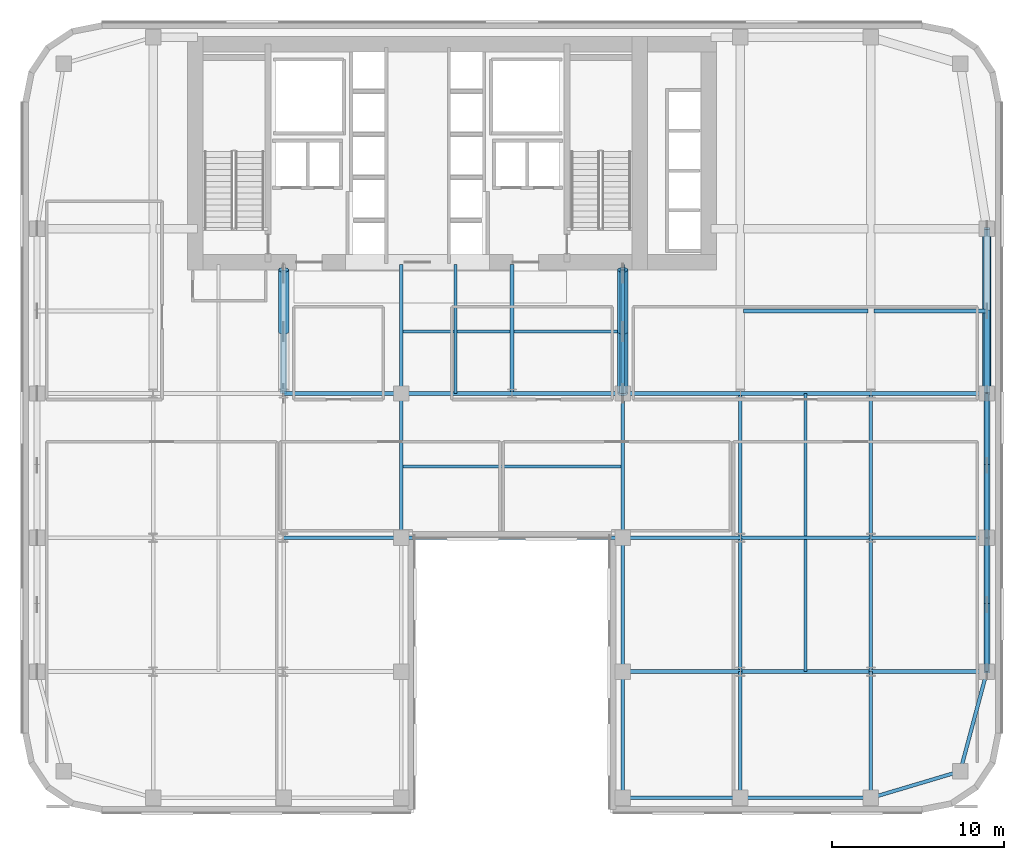
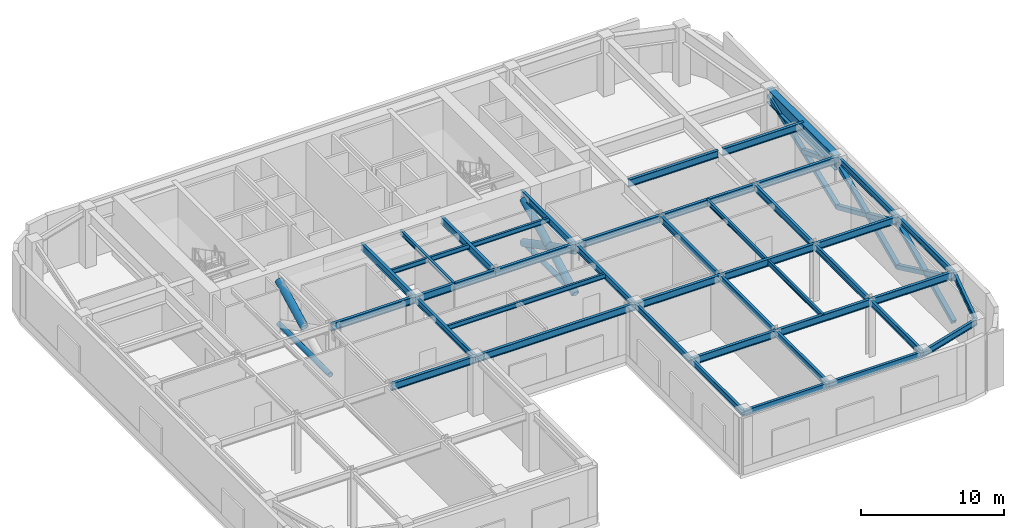
# One storey, part 2 of 11: 41 beams, 14 members.
"""IFC4 building model written with IfcOpenShell, lengths in metres."""

from ifc_helpers import new_model, si_unit, direction, frame, origin, origin_2d, place, context, subcontext, project, spatial, hollow_rectangle, hollow_circle, i_section, extrude, source, transform, mapped, material, material_profile, profile_set, type_object, type_shapes, element, save


model = new_model("IFC4")

# Units and contexts
model_context = context("Model", 3, precision=1e-05, world=origin(), true_north=direction((0.0, 1.0)))
body_context = subcontext(model_context, "Body", "Model", "MODEL_VIEW")
ifc_project = project(units=[si_unit("LENGTHUNIT", "METRE"), si_unit("AREAUNIT", "SQUARE_METRE"), si_unit("VOLUMEUNIT", "CUBIC_METRE"), si_unit("PLANEANGLEUNIT", "RADIAN"), si_unit("MASSUNIT", "GRAM", prefix="KILO")], contexts=[model_context])

# Site, building, storey
site_placement = place(None, origin())
site = spatial("IfcSite", under=ifc_project, at=site_placement, CompositionType="ELEMENT")
building_placement = place(site_placement, origin())
building = spatial("IfcBuilding", under=site, at=building_placement, Name="Tolvann Quenvar Hotel", CompositionType="ELEMENT")
storey_placement = place(building_placement, frame((0.0, 0.0, 95.89990234375)))
storey = spatial("IfcBuildingStorey", under=building, at=storey_placement, Name="L24", CompositionType="ELEMENT", Elevation=95.89990234375)

# Beams
ifc_material_1 = material(Name="Steel Grade 350", Category="steel")
ifc_material_profile_1 = material_profile(ifc_material_1, i_section(OverallWidth=0.5, OverallDepth=1.199951171875, WebThickness=0.01611328125, FlangeThickness=0.0400390625, at=origin_2d()), Name="1200WB455")
ifc_profile_set_1 = profile_set([ifc_material_profile_1], Name="Steel Grade 350")
beam_type_1 = type_object("IfcBeamType", Name="BM_TG_1200WB455", PredefinedType="USERDEFINED", material=ifc_profile_set_1)
shared_shape_1 = source(origin(), body_context, "Body", "SweptSolid", [
    extrude(i_section(OverallWidth=0.5, OverallDepth=1.199951171875, WebThickness=0.01611328125, FlangeThickness=0.0400390625, at=origin_2d()), origin(), (0.0, 0.0, 1.0), 9.60009765625),
])
type_shapes(beam_type_1, [shared_shape_1])
beam_1_placement = place(storey_placement, frame((56.14990234375, 24.39990234375, 4.22021484375), z_axis=(0.0, 1.0, 0.0), x_axis=(-1.0, 0.0, 0.0)))
element("IfcBeam", 1, at=beam_1_placement, inside=storey, type_object=beam_type_1, Name="BM-L24-FLK-E1", ObjectType="TRANSFER GIRDER", PredefinedType="USERDEFINED", context=body_context, shape_type="MappedRepresentation", body=[
    mapped(shared_shape_1, transform((0.0, 0.0, 0.0), x_axis=(1.0, 0.0, 0.0), y_axis=(0.0, 1.0, 0.0), z_axis=(0.0, 0.0, 1.0), scale=1.0)),
])
ifc_material_profile_2 = material_profile(ifc_material_1, i_section(OverallWidth=0.208984375, OverallDepth=0.528076171875, WebThickness=0.009521484375, FlangeThickness=0.01318359375, FilletRadius=0.013916015625, at=origin_2d()), Name="530UB82")
ifc_profile_set_2 = profile_set([ifc_material_profile_2], Name="Steel Grade 350")
beam_type_2 = type_object("IfcBeamType", Name="BM_SPAND_530UB82", PredefinedType="SPANDREL", material=ifc_profile_set_2)
shared_shape_2 = source(origin(), body_context, "Body", "SweptSolid", [
    extrude(i_section(OverallWidth=0.208984375, OverallDepth=0.528076171875, WebThickness=0.009521484375, FlangeThickness=0.01318359375, FilletRadius=0.013916015625, at=origin_2d()), origin(), (0.0, 0.0, 1.0), 5.42626953125),
])
beam_2_placement = place(storey_placement, frame((49.39990234375, 0.85009765625, 4.55615234375), z_axis=(0.958344815522, 0.285613750654, 0.0), x_axis=(-0.285613750654, 0.958344815522, 0.0)))
element("IfcBeam", 2, at=beam_2_placement, inside=storey, type_object=beam_type_2, Name="BM-L24-EW-2-I2-J2", PredefinedType="SPANDREL", context=body_context, shape_type="MappedRepresentation", body=[
    mapped(shared_shape_2, transform((0.0, 0.0, 0.0), x_axis=(1.0, 0.0, 0.0), y_axis=(0.0, 1.0, 0.0), z_axis=(0.0, 0.0, 1.0), scale=1.0)),
])
shared_shape_3 = source(origin(), body_context, "Body", "SweptSolid", [
    extrude(i_section(OverallWidth=0.208984375, OverallDepth=0.528076171875, WebThickness=0.009521484375, FlangeThickness=0.01318359375, FilletRadius=0.013916015625, at=origin_2d()), origin(), (0.0, 0.0, 1.0), 7.599853515625),
])
beam_3_placement = place(storey_placement, frame((41.800048828125, 0.85009765625, 4.55615234375), z_axis=(1.0, 0.0, 0.0), x_axis=(0.0, 1.0, 0.0)))
element("IfcBeam", 3, at=beam_3_placement, inside=storey, type_object=beam_type_2, Name="BM-L24-EW-2-H2-I2", PredefinedType="SPANDREL", context=body_context, shape_type="MappedRepresentation", body=[
    mapped(shared_shape_3, transform((0.0, 0.0, 0.0), x_axis=(1.0, 0.0, 0.0), y_axis=(0.0, 1.0, 0.0), z_axis=(0.0, 0.0, 1.0), scale=1.0)),
])
shared_shape_4 = source(origin(), body_context, "Body", "SweptSolid", [
    extrude(i_section(OverallWidth=0.208984375, OverallDepth=0.528076171875, WebThickness=0.009521484375, FlangeThickness=0.01318359375, FilletRadius=0.013916015625, at=origin_2d()), origin(), (0.0, 0.0, 1.0), 6.85009765625),
])
beam_4_placement = place(storey_placement, frame((34.949951171875, 0.85009765625, 4.55615234375), z_axis=(1.0, 0.0, 0.0), x_axis=(0.0, 1.0, 0.0)))
element("IfcBeam", 4, at=beam_4_placement, inside=storey, type_object=beam_type_2, Name="BM-L24-EW-2-F2-H2", PredefinedType="SPANDREL", context=body_context, shape_type="MappedRepresentation", body=[
    mapped(shared_shape_4, transform((0.0, 0.0, 0.0), x_axis=(1.0, 0.0, 0.0), y_axis=(0.0, 1.0, 0.0), z_axis=(0.0, 0.0, 1.0), scale=1.0)),
])
ifc_material_profile_3 = material_profile(ifc_material_1, i_section(OverallWidth=0.22900390625, OverallDepth=0.612060546875, WebThickness=0.011962890625, FlangeThickness=0.01953125, FilletRadius=0.013916015625, at=origin_2d()), Name="610UB125")
ifc_profile_set_3 = profile_set([ifc_material_profile_3], Name="Steel Grade 350")
beam_type_3 = type_object("IfcBeamType", Name="BM_GIRD_610UB125", PredefinedType="BEAM", material=ifc_profile_set_3)
shared_shape_5 = source(origin(), body_context, "Body", "SweptSolid", [
    extrude(i_section(OverallWidth=0.22900390625, OverallDepth=0.612060546875, WebThickness=0.011962890625, FlangeThickness=0.01953125, FilletRadius=0.013916015625, at=origin_2d()), origin(), (0.0, 0.0, 1.0), 6.75),
])
for number, where, z_axis, x_axis, name in (
    (5, (49.39990234375, 8.199951171875, 4.51416015625), (1.0, 0.0, 0.0), (0.0, 1.0, 0.0), "BM-L24-EW-3-I3-J3"),
    (6, (49.39990234375, 16.0, 4.51416015625), (1.0, 0.0, 0.0), (0.0, 1.0, 0.0), "BM-L24-EW-4-I4-J4"),
    (7, (49.39990234375, 24.39990234375, 4.51416015625), (1.0, 0.0, 0.0), (0.0, 1.0, 0.0), "BM-L24-EW-5-I5-J5"),
):
    element("IfcBeam", number, at=place(storey_placement, frame(where, z_axis=z_axis, x_axis=x_axis)), inside=storey, type_object=beam_type_3, Name=name, PredefinedType="BEAM", context=body_context, shape_type="MappedRepresentation", body=[
        mapped(shared_shape_5, transform((0.0, 0.0, 0.0), x_axis=(1.0, 0.0, 0.0), y_axis=(0.0, 1.0, 0.0), z_axis=(0.0, 0.0, 1.0), scale=1.0)),
    ])
shared_shape_6 = source(origin(), body_context, "Body", "SweptSolid", [
    extrude(i_section(OverallWidth=0.22900390625, OverallDepth=0.612060546875, WebThickness=0.011962890625, FlangeThickness=0.01953125, FilletRadius=0.013916015625, at=origin_2d()), origin(), (0.0, 0.0, 1.0), 7.599853515625),
])
for number, where, z_axis, x_axis, name in (
    (8, (41.800048828125, 8.199951171875, 4.51416015625), (1.0, 0.0, 0.0), (0.0, 1.0, 0.0), "BM-L24-EW-3-H3-I3"),
    (9, (41.800048828125, 16.0, 4.51416015625), (1.0, 0.0, 0.0), (0.0, 1.0, 0.0), "BM-L24-EW-4-H4-I4"),
    (10, (41.800048828125, 24.39990234375, 4.51416015625), (1.0, 0.0, 0.0), (0.0, 1.0, 0.0), "BM-L24-EW-5-H5-I5"),
):
    element("IfcBeam", number, at=place(storey_placement, frame(where, z_axis=z_axis, x_axis=x_axis)), inside=storey, type_object=beam_type_3, Name=name, PredefinedType="BEAM", context=body_context, shape_type="MappedRepresentation", body=[
        mapped(shared_shape_6, transform((0.0, 0.0, 0.0), x_axis=(1.0, 0.0, 0.0), y_axis=(0.0, 1.0, 0.0), z_axis=(0.0, 0.0, 1.0), scale=1.0)),
    ])
shared_shape_7 = source(origin(), body_context, "Body", "SweptSolid", [
    extrude(i_section(OverallWidth=0.22900390625, OverallDepth=0.612060546875, WebThickness=0.011962890625, FlangeThickness=0.01953125, FilletRadius=0.013916015625, at=origin_2d()), origin(), (0.0, 0.0, 1.0), 6.85009765625),
])
for number, where, z_axis, x_axis, name in (
    (11, (34.949951171875, 8.199951171875, 4.51416015625), (1.0, 0.0, 0.0), (0.0, 1.0, 0.0), "BM-L24-EW-3-F3-H3"),
    (12, (15.199951171875, 16.0, 4.51416015625), (1.0, 0.0, 0.0), (0.0, 1.0, 0.0), "BM-L24-EW-4-D4-E4"),
    (13, (34.949951171875, 16.0, 4.51416015625), (1.0, 0.0, 0.0), (0.0, 1.0, 0.0), "BM-L24-EW-4-F4-H4"),
    (14, (15.199951171875, 24.39990234375, 4.51416015625), (1.0, 0.0, 0.0), (0.0, 1.0, 0.0), "BM-L24-EW-5-D5-E5"),
    (15, (34.949951171875, 24.39990234375, 4.51416015625), (1.0, 0.0, 0.0), (0.0, 1.0, 0.0), "BM-L24-EW-5-F5-H5"),
):
    element("IfcBeam", number, at=place(storey_placement, frame(where, z_axis=z_axis, x_axis=x_axis)), inside=storey, type_object=beam_type_3, Name=name, PredefinedType="BEAM", context=body_context, shape_type="MappedRepresentation", body=[
        mapped(shared_shape_7, transform((0.0, 0.0, 0.0), x_axis=(1.0, 0.0, 0.0), y_axis=(0.0, 1.0, 0.0), z_axis=(0.0, 0.0, 1.0), scale=1.0)),
    ])
shared_shape_8 = source(origin(), body_context, "Body", "SweptSolid", [
    extrude(i_section(OverallWidth=0.22900390625, OverallDepth=0.612060546875, WebThickness=0.011962890625, FlangeThickness=0.01953125, FilletRadius=0.013916015625, at=origin_2d()), origin(), (0.0, 0.0, 1.0), 12.89990234375),
])
beam_5_placement = place(storey_placement, frame((22.050048828125, 16.0, 4.51416015625), z_axis=(1.0, 0.0, 0.0), x_axis=(0.0, 1.0, 0.0)))
element("IfcBeam", 16, at=beam_5_placement, inside=storey, type_object=beam_type_3, Name="BM-L24-EW-4-E4-F4", PredefinedType="BEAM", context=body_context, shape_type="MappedRepresentation", body=[
    mapped(shared_shape_8, transform((0.0, 0.0, 0.0), x_axis=(1.0, 0.0, 0.0), y_axis=(0.0, 1.0, 0.0), z_axis=(0.0, 0.0, 1.0), scale=1.0)),
])
shared_shape_9 = source(origin(), body_context, "Body", "SweptSolid", [
    extrude(i_section(OverallWidth=0.22900390625, OverallDepth=0.612060546875, WebThickness=0.011962890625, FlangeThickness=0.01953125, FilletRadius=0.013916015625, at=origin_2d()), origin(), (0.0, 0.0, 1.0), 6.449951171875),
])
for number, where, z_axis, x_axis, name in (
    (17, (22.050048828125, 24.39990234375, 4.51416015625), (1.0, 0.0, 0.0), (0.0, 1.0, 0.0), "BM-L24-EW-5-E5-M5"),
    (18, (28.5, 24.39990234375, 4.51416015625), (1.0, 0.0, 0.0), (0.0, 1.0, 0.0), "BM-L24-EW-5-M5-F5"),
):
    element("IfcBeam", number, at=place(storey_placement, frame(where, z_axis=z_axis, x_axis=x_axis)), inside=storey, type_object=beam_type_3, Name=name, PredefinedType="BEAM", context=body_context, shape_type="MappedRepresentation", body=[
        mapped(shared_shape_9, transform((0.0, 0.0, 0.0), x_axis=(1.0, 0.0, 0.0), y_axis=(0.0, 1.0, 0.0), z_axis=(0.0, 0.0, 1.0), scale=1.0)),
    ])
shared_shape_10 = source(origin(), body_context, "Body", "SweptSolid", [
    extrude(i_section(OverallWidth=0.208984375, OverallDepth=0.528076171875, WebThickness=0.009521484375, FlangeThickness=0.01318359375, FilletRadius=0.013916015625, at=origin_2d()), origin(), (0.0, 0.0, 1.0), 6.00341796875),
])
beam_6_placement = place(storey_placement, frame((54.60009765625, 2.39990234375, 4.55615234375), z_axis=(0.258148586649, 0.966105225745, 0.0), x_axis=(-0.966105225745, 0.258148586649, 0.0)))
element("IfcBeam", 19, at=beam_6_placement, inside=storey, type_object=beam_type_2, Name="BM-L24-NS-J2-J3", PredefinedType="SPANDREL", context=body_context, shape_type="MappedRepresentation", body=[
    mapped(shared_shape_10, transform((0.0, 0.0, 0.0), x_axis=(1.0, 0.0, 0.0), y_axis=(0.0, 1.0, 0.0), z_axis=(0.0, 0.0, 1.0), scale=1.0)),
])
shared_shape_11 = source(origin(), body_context, "Body", "SweptSolid", [
    extrude(i_section(OverallWidth=0.208984375, OverallDepth=0.528076171875, WebThickness=0.009521484375, FlangeThickness=0.01318359375, FilletRadius=0.013916015625, at=origin_2d()), origin(), (0.0, 0.0, 1.0), 7.800048828125),
])
beam_7_placement = place(storey_placement, frame((56.14990234375, 8.199951171875, 4.55615234375), z_axis=(0.0, 1.0, 0.0), x_axis=(-1.0, 0.0, 0.0)))
element("IfcBeam", 20, at=beam_7_placement, inside=storey, type_object=beam_type_2, Name="BM-L24-NS-J3-J4", PredefinedType="SPANDREL", context=body_context, shape_type="MappedRepresentation", body=[
    mapped(shared_shape_11, transform((0.0, 0.0, 0.0), x_axis=(1.0, 0.0, 0.0), y_axis=(0.0, 1.0, 0.0), z_axis=(0.0, 0.0, 1.0), scale=1.0)),
])
shared_shape_12 = source(origin(), body_context, "Body", "SweptSolid", [
    extrude(i_section(OverallWidth=0.208984375, OverallDepth=0.528076171875, WebThickness=0.009521484375, FlangeThickness=0.01318359375, FilletRadius=0.013916015625, at=origin_2d()), origin(), (0.0, 0.0, 1.0), 8.39990234375),
])
type_shapes(beam_type_2, [shared_shape_2, shared_shape_3, shared_shape_4, shared_shape_10, shared_shape_11, shared_shape_12])
beam_8_placement = place(storey_placement, frame((56.14990234375, 16.0, 4.55615234375), z_axis=(0.0, 1.0, 0.0), x_axis=(-1.0, 0.0, 0.0)))
element("IfcBeam", 21, at=beam_8_placement, inside=storey, type_object=beam_type_2, Name="BM-L24-NS-J4-J5", PredefinedType="SPANDREL", context=body_context, shape_type="MappedRepresentation", body=[
    mapped(shared_shape_12, transform((0.0, 0.0, 0.0), x_axis=(1.0, 0.0, 0.0), y_axis=(0.0, 1.0, 0.0), z_axis=(0.0, 0.0, 1.0), scale=1.0)),
])
ifc_material_profile_4 = material_profile(ifc_material_1, i_section(OverallWidth=0.208984375, OverallDepth=0.532958984375, WebThickness=0.01025390625, FlangeThickness=0.015625, FilletRadius=0.013916015625, at=origin_2d()), Name="530UB92")
ifc_profile_set_4 = profile_set([ifc_material_profile_4], Name="Steel Grade 350")
beam_type_4 = type_object("IfcBeamType", Name="BM_GIRD_530UB92", PredefinedType="BEAM", material=ifc_profile_set_4)
shared_shape_13 = source(origin(), body_context, "Body", "SweptSolid", [
    extrude(i_section(OverallWidth=0.208984375, OverallDepth=0.532958984375, WebThickness=0.01025390625, FlangeThickness=0.015625, FilletRadius=0.013916015625, at=origin_2d()), origin(), (0.0, 0.0, 1.0), 7.349853515625),
])
for number, where, z_axis, x_axis, name in (
    (22, (34.949951171875, 0.85009765625, 4.5537109375), (0.0, 1.0, 0.0), (-1.0, 0.0, 0.0), "BM-L24-NS-F2-F3"),
    (23, (41.800048828125, 0.85009765625, 4.5537109375), (0.0, 1.0, 0.0), (-1.0, 0.0, 0.0), "BM-L24-NS-H2-H3"),
    (24, (49.39990234375, 0.85009765625, 4.5537109375), (0.0, 1.0, 0.0), (-1.0, 0.0, 0.0), "BM-L24-NS-I2-I3"),
):
    element("IfcBeam", number, at=place(storey_placement, frame(where, z_axis=z_axis, x_axis=x_axis)), inside=storey, type_object=beam_type_4, Name=name, PredefinedType="BEAM", context=body_context, shape_type="MappedRepresentation", body=[
        mapped(shared_shape_13, transform((0.0, 0.0, 0.0), x_axis=(1.0, 0.0, 0.0), y_axis=(0.0, 1.0, 0.0), z_axis=(0.0, 0.0, 1.0), scale=1.0)),
    ])
shared_shape_14 = source(origin(), body_context, "Body", "SweptSolid", [
    extrude(i_section(OverallWidth=0.208984375, OverallDepth=0.532958984375, WebThickness=0.01025390625, FlangeThickness=0.015625, FilletRadius=0.013916015625, at=origin_2d()), origin(), (0.0, 0.0, 1.0), 7.800048828125),
])
for number, where, z_axis, x_axis, name in (
    (25, (34.949951171875, 8.199951171875, 4.5537109375), (0.0, 1.0, 0.0), (-1.0, 0.0, 0.0), "BM-L24-NS-F3-F4"),
    (26, (41.800048828125, 8.199951171875, 4.5537109375), (0.0, 1.0, 0.0), (-1.0, 0.0, 0.0), "BM-L24-NS-H3-H4"),
    (27, (49.39990234375, 8.199951171875, 4.5537109375), (0.0, 1.0, 0.0), (-1.0, 0.0, 0.0), "BM-L24-NS-I3-I4"),
):
    element("IfcBeam", number, at=place(storey_placement, frame(where, z_axis=z_axis, x_axis=x_axis)), inside=storey, type_object=beam_type_4, Name=name, PredefinedType="BEAM", context=body_context, shape_type="MappedRepresentation", body=[
        mapped(shared_shape_14, transform((0.0, 0.0, 0.0), x_axis=(1.0, 0.0, 0.0), y_axis=(0.0, 1.0, 0.0), z_axis=(0.0, 0.0, 1.0), scale=1.0)),
    ])
shared_shape_15 = source(origin(), body_context, "Body", "SweptSolid", [
    extrude(i_section(OverallWidth=0.208984375, OverallDepth=0.532958984375, WebThickness=0.01025390625, FlangeThickness=0.015625, FilletRadius=0.013916015625, at=origin_2d()), origin(), (0.0, 0.0, 1.0), 8.39990234375),
])
type_shapes(beam_type_4, [shared_shape_13, shared_shape_14, shared_shape_15])
for number, where, z_axis, x_axis, name in (
    (28, (22.050048828125, 16.0, 4.5537109375), (0.0, 1.0, 0.0), (-1.0, 0.0, 0.0), "BM-L24-NS-E4-E5"),
    (29, (34.949951171875, 16.0, 4.5537109375), (0.0, 1.0, 0.0), (-1.0, 0.0, 0.0), "BM-L24-NS-F4-F5"),
    (30, (41.800048828125, 16.0, 4.5537109375), (0.0, 1.0, 0.0), (-1.0, 0.0, 0.0), "BM-L24-NS-H4-H5"),
    (31, (49.39990234375, 16.0, 4.5537109375), (0.0, 1.0, 0.0), (-1.0, 0.0, 0.0), "BM-L24-NS-I4-I5"),
):
    element("IfcBeam", number, at=place(storey_placement, frame(where, z_axis=z_axis, x_axis=x_axis)), inside=storey, type_object=beam_type_4, Name=name, PredefinedType="BEAM", context=body_context, shape_type="MappedRepresentation", body=[
        mapped(shared_shape_15, transform((0.0, 0.0, 0.0), x_axis=(1.0, 0.0, 0.0), y_axis=(0.0, 1.0, 0.0), z_axis=(0.0, 0.0, 1.0), scale=1.0)),
    ])
shared_shape_16 = source(origin(), body_context, "Body", "SweptSolid", [
    extrude(i_section(OverallWidth=0.22900390625, OverallDepth=0.612060546875, WebThickness=0.011962890625, FlangeThickness=0.01953125, FilletRadius=0.013916015625, at=origin_2d()), origin(), (0.0, 0.0, 1.0), 7.5),
])
for number, where, z_axis, x_axis, name in (
    (32, (22.050048828125, 24.39990234375, 4.51416015625), (0.0, 1.0, 0.0), (-1.0, 0.0, 0.0), "BM-L24-CORE-E5"),
    (33, (34.949951171875, 24.39990234375, 4.51416015625), (0.0, 1.0, 0.0), (-1.0, 0.0, 0.0), "BM-L24-CORE-F5"),
    (34, (28.5, 24.39990234375, 4.51416015625), (0.0, 1.0, 0.0), (-1.0, 0.0, 0.0), "BM-L24-CORE-M5"),
):
    element("IfcBeam", number, at=place(storey_placement, frame(where, z_axis=z_axis, x_axis=x_axis)), inside=storey, type_object=beam_type_3, Name=name, PredefinedType="BEAM", context=body_context, shape_type="MappedRepresentation", body=[
        mapped(shared_shape_16, transform((0.0, 0.0, 0.0), x_axis=(1.0, 0.0, 0.0), y_axis=(0.0, 1.0, 0.0), z_axis=(0.0, 0.0, 1.0), scale=1.0)),
    ])
shared_shape_17 = source(origin(), body_context, "Body", "SweptSolid", [
    extrude(i_section(OverallWidth=0.22900390625, OverallDepth=0.612060546875, WebThickness=0.011962890625, FlangeThickness=0.01953125, FilletRadius=0.013916015625, at=origin_2d()), origin(), (0.0, 0.0, 1.0), 7.239990234375),
])
beam_9_placement = place(storey_placement, frame((41.97998046875, 29.199951171875, 4.51416015625), z_axis=(1.0, 0.0, 0.0), x_axis=(0.0, 1.0, 0.0)))
element("IfcBeam", 35, at=beam_9_placement, inside=storey, type_object=beam_type_3, Name="BM-L24-EW-HI29", PredefinedType="BEAM", context=body_context, shape_type="MappedRepresentation", body=[
    mapped(shared_shape_17, transform((0.0, 0.0, 0.0), x_axis=(1.0, 0.0, 0.0), y_axis=(0.0, 1.0, 0.0), z_axis=(0.0, 0.0, 1.0), scale=1.0)),
])
shared_shape_18 = source(origin(), body_context, "Body", "SweptSolid", [
    extrude(i_section(OverallWidth=0.22900390625, OverallDepth=0.612060546875, WebThickness=0.011962890625, FlangeThickness=0.01953125, FilletRadius=0.013916015625, at=origin_2d()), origin(), (0.0, 0.0, 1.0), 6.56982421875),
])
type_shapes(beam_type_3, [shared_shape_5, shared_shape_6, shared_shape_7, shared_shape_8, shared_shape_9, shared_shape_16, shared_shape_17, shared_shape_18])
beam_10_placement = place(storey_placement, frame((49.580078125, 29.199951171875, 4.51416015625), z_axis=(1.0, 0.0, 0.0), x_axis=(0.0, 1.0, 0.0)))
element("IfcBeam", 36, at=beam_10_placement, inside=storey, type_object=beam_type_3, Name="BM-L24-EW-IJ29", PredefinedType="BEAM", context=body_context, shape_type="MappedRepresentation", body=[
    mapped(shared_shape_18, transform((0.0, 0.0, 0.0), x_axis=(1.0, 0.0, 0.0), y_axis=(0.0, 1.0, 0.0), z_axis=(0.0, 0.0, 1.0), scale=1.0)),
])
ifc_material_profile_5 = material_profile(ifc_material_1, i_section(OverallWidth=0.177978515625, OverallDepth=0.406005859375, WebThickness=0.0078125, FlangeThickness=0.0126953125, FilletRadius=0.011474609375, at=origin_2d()), Name="410UB60")
ifc_profile_set_5 = profile_set([ifc_material_profile_5], Name="Steel Grade 350")
beam_type_5 = type_object("IfcBeamType", Name="BM_JOIST_410UB60", PredefinedType="JOIST", material=ifc_profile_set_5)
shared_shape_19 = source(origin(), body_context, "Body", "SweptSolid", [
    extrude(i_section(OverallWidth=0.177978515625, OverallDepth=0.406005859375, WebThickness=0.0078125, FlangeThickness=0.0126953125, FilletRadius=0.011474609375, at=origin_2d()), origin(), (0.0, 0.0, 1.0), 12.89990234375),
])
for number, where, z_axis, x_axis, name in (
    (37, (22.050048828125, 20.14990234375, 4.6171875), (1.0, 0.0, 0.0), (0.0, 1.0, 0.0), "BM-L24-SPINE-20"),
    (38, (22.050048828125, 28.0, 4.6171875), (1.0, 0.0, 0.0), (0.0, 1.0, 0.0), "BM-L24-SPINE-28"),
):
    element("IfcBeam", number, at=place(storey_placement, frame(where, z_axis=z_axis, x_axis=x_axis)), inside=storey, type_object=beam_type_5, Name=name, PredefinedType="JOIST", context=body_context, shape_type="MappedRepresentation", body=[
        mapped(shared_shape_19, transform((0.0, 0.0, 0.0), x_axis=(1.0, 0.0, 0.0), y_axis=(0.0, 1.0, 0.0), z_axis=(0.0, 0.0, 1.0), scale=1.0)),
    ])
shared_shape_20 = source(origin(), body_context, "Body", "SweptSolid", [
    extrude(i_section(OverallWidth=0.177978515625, OverallDepth=0.406005859375, WebThickness=0.0078125, FlangeThickness=0.0126953125, FilletRadius=0.011474609375, at=origin_2d()), origin(), (0.0, 0.0, 1.0), 7.691650390625),
])
beam_11_placement = place(storey_placement, frame((45.60009765625, 8.199951171875, 4.6171875), z_axis=(0.0, 1.0, 0.0), x_axis=(-1.0, 0.0, 0.0)))
element("IfcBeam", 39, at=beam_11_placement, inside=storey, type_object=beam_type_5, Name="BJ-L24-456-82", PredefinedType="JOIST", context=body_context, shape_type="MappedRepresentation", body=[
    mapped(shared_shape_20, transform((0.0, 0.0, 0.0), x_axis=(1.0, 0.0, 0.0), y_axis=(0.0, 1.0, 0.0), z_axis=(0.0, 0.0, 1.0), scale=1.0)),
])
shared_shape_21 = source(origin(), body_context, "Body", "SweptSolid", [
    extrude(i_section(OverallWidth=0.177978515625, OverallDepth=0.406005859375, WebThickness=0.0078125, FlangeThickness=0.0126953125, FilletRadius=0.011474609375, at=origin_2d()), origin(), (0.0, 0.0, 1.0), 7.5),
])
beam_12_placement = place(storey_placement, frame((25.199951171875, 24.39990234375, 4.6171875), z_axis=(0.0, 1.0, 0.0), x_axis=(-1.0, 0.0, 0.0)))
element("IfcBeam", 40, at=beam_12_placement, inside=storey, type_object=beam_type_5, Name="BJ-L24-252-244", PredefinedType="JOIST", context=body_context, shape_type="MappedRepresentation", body=[
    mapped(shared_shape_21, transform((0.0, 0.0, 0.0), x_axis=(1.0, 0.0, 0.0), y_axis=(0.0, 1.0, 0.0), z_axis=(0.0, 0.0, 1.0), scale=1.0)),
])
shared_shape_22 = source(origin(), body_context, "Body", "SweptSolid", [
    extrude(i_section(OverallWidth=0.177978515625, OverallDepth=0.406005859375, WebThickness=0.0078125, FlangeThickness=0.0126953125, FilletRadius=0.011474609375, at=origin_2d()), origin(), (0.0, 0.0, 1.0), 8.29150390625),
])
type_shapes(beam_type_5, [shared_shape_19, shared_shape_20, shared_shape_21, shared_shape_22])
beam_13_placement = place(storey_placement, frame((45.60009765625, 16.1083984375, 4.6171875), z_axis=(0.0, 1.0, 0.0), x_axis=(-1.0, 0.0, 0.0)))
element("IfcBeam", 41, at=beam_13_placement, inside=storey, type_object=beam_type_5, Name="BJ-L24-456-160", PredefinedType="JOIST", context=body_context, shape_type="MappedRepresentation", body=[
    mapped(shared_shape_22, transform((0.0, 0.0, 0.0), x_axis=(1.0, 0.0, 0.0), y_axis=(0.0, 1.0, 0.0), z_axis=(0.0, 0.0, 1.0), scale=1.0)),
])

# Members
ifc_material_2 = material(Name="Steel Grade 450 (C450L0)", Category="steel")
ifc_material_profile_6 = material_profile(ifc_material_2, hollow_circle(Radius=0.304931640625, WallThickness=0.01611328125, at=origin_2d()), Name="610x16CHS")
ifc_profile_set_6 = profile_set([ifc_material_profile_6], Name="Steel Grade 450 (C450L0)")
member_type_1 = type_object("IfcMemberType", Name="MEM_DIAG_610CHS", PredefinedType="BRACE", material=ifc_profile_set_6)
shared_shape_23 = source(origin(), body_context, "Body", "SweptSolid", [
    extrude(hollow_circle(Radius=0.304931640625, WallThickness=0.01611328125, at=origin_2d()), origin(), (0.0, 0.0, 1.0), 8.1044921875),
])
member_1_placement = place(storey_placement, frame((34.949951171875, 31.60009765625, 0.4501953125), z_axis=(0.0, -0.888432458735, 0.4590073706), x_axis=(1.0, 0.0, 0.0)))
element("IfcMember", 42, at=member_1_placement, inside=storey, type_object=member_type_1, Name="Outrigger Truss Primary Diagonal L24-2A", PredefinedType="BRACE", context=body_context, shape_type="MappedRepresentation", body=[
    mapped(shared_shape_23, transform((0.0, 0.0, 0.0), x_axis=(1.0, 0.0, 0.0), y_axis=(0.0, 1.0, 0.0), z_axis=(0.0, 0.0, 1.0), scale=1.0)),
])
shared_shape_24 = source(origin(), body_context, "Body", "SweptSolid", [
    extrude(hollow_circle(Radius=0.304931640625, WallThickness=0.01611328125, at=origin_2d()), origin(), (0.0, 0.0, 1.0), 4.05224609375),
])
type_shapes(member_type_1, [shared_shape_23, shared_shape_24])
for number, where, z_axis, x_axis, name in (
    (43, (15.199951171875, 28.0, 2.31005859375), (0.0, 0.888420173895, 0.459031147763), (-1.0, 0.0, 0.0), "Outrigger Truss Split Diagonal Upper L24-1B2"),
    (44, (34.949951171875, 24.39990234375, 0.4501953125), (0.0, 0.888444743279, 0.458983592452), (-1.0, 0.0, 0.0), "Outrigger Truss Split Diagonal Lower L24-2B1"),
    (45, (34.949951171875, 28.0, 2.31005859375), (0.0, 0.888420173895, 0.459031147763), (-1.0, 0.0, 0.0), "Outrigger Truss Split Diagonal Upper L24-2B2"),
):
    element("IfcMember", number, at=place(storey_placement, frame(where, z_axis=z_axis, x_axis=x_axis)), inside=storey, type_object=member_type_1, Name=name, PredefinedType="BRACE", context=body_context, shape_type="MappedRepresentation", body=[
        mapped(shared_shape_24, transform((0.0, 0.0, 0.0), x_axis=(1.0, 0.0, 0.0), y_axis=(0.0, 1.0, 0.0), z_axis=(0.0, 0.0, 1.0), scale=1.0)),
    ])
ifc_material_profile_7 = material_profile(ifc_material_2, hollow_circle(Radius=0.203125, WallThickness=0.0126953125, at=origin_2d()), Name="406.4x12.7CHS")
ifc_profile_set_7 = profile_set([ifc_material_profile_7], Name="Steel Grade 450 (C450L0)")
member_type_2 = type_object("IfcMemberType", Name="MEM_CHORD_406CHS", PredefinedType="CHORD", material=ifc_profile_set_7)
shared_shape_25 = source(origin(), body_context, "Body", "SweptSolid", [
    extrude(hollow_circle(Radius=0.203125, WallThickness=0.0126953125, at=origin_2d()), origin(), (0.0, 0.0, 1.0), 7.2001953125),
])
type_shapes(member_type_2, [shared_shape_25])
for number, where, z_axis, x_axis, name in (
    (46, (15.199951171875, 24.39990234375, 0.4501953125), (0.0, 1.0, 0.0), (-1.0, 0.0, 0.0), "Outrigger Bottom Chord L24-1"),
    (47, (34.949951171875, 24.39990234375, 0.4501953125), (0.0, 1.0, 0.0), (-1.0, 0.0, 0.0), "Outrigger Bottom Chord L24-2"),
):
    element("IfcMember", number, at=place(storey_placement, frame(where, z_axis=z_axis, x_axis=x_axis)), inside=storey, type_object=member_type_2, Name=name, PredefinedType="CHORD", context=body_context, shape_type="MappedRepresentation", body=[
        mapped(shared_shape_25, transform((0.0, 0.0, 0.0), x_axis=(1.0, 0.0, 0.0), y_axis=(0.0, 1.0, 0.0), z_axis=(0.0, 0.0, 1.0), scale=1.0)),
    ])
ifc_material_profile_8 = material_profile(ifc_material_2, hollow_rectangle(XDim=0.35009765625, YDim=0.35009765625, WallThickness=0.01611328125, at=origin_2d()), Name="350x350x16SHS")
ifc_profile_set_8 = profile_set([ifc_material_profile_8], Name="Steel Grade 450 (C450L0)")
member_type_3 = type_object("IfcMemberType", Name="MEM_BELT_350SHS", PredefinedType="BRACE", material=ifc_profile_set_8)
shared_shape_26 = source(origin(), body_context, "Body", "SweptSolid", [
    extrude(hollow_rectangle(XDim=0.35009765625, YDim=0.35009765625, WallThickness=0.01611328125, at=origin_2d()), origin(), (0.0, 0.0, 1.0), 8.6416015625),
])
member_2_placement = place(storey_placement, frame((56.14990234375, 8.199951171875, 0.4501953125), z_axis=(0.0, 0.902606045466, 0.430467567522), x_axis=(-1.0, 0.0, 0.0)))
element("IfcMember", 48, at=member_2_placement, inside=storey, type_object=member_type_3, Name="Belt Truss Primary Brace L24-E1A", PredefinedType="BRACE", context=body_context, shape_type="MappedRepresentation", body=[
    mapped(shared_shape_26, transform((0.0, 0.0, 0.0), x_axis=(1.0, 0.0, 0.0), y_axis=(0.0, 1.0, 0.0), z_axis=(0.0, 0.0, 1.0), scale=1.0)),
])
shared_shape_27 = source(origin(), body_context, "Body", "SweptSolid", [
    extrude(hollow_rectangle(XDim=0.35009765625, YDim=0.35009765625, WallThickness=0.01611328125, at=origin_2d()), origin(), (0.0, 0.0, 1.0), 4.32080078125),
])
member_3_placement = place(storey_placement, frame((56.14990234375, 16.0, 0.4501953125), z_axis=(0.0, -0.902611787438, 0.430455527526), x_axis=(1.0, 0.0, 0.0)))
element("IfcMember", 49, at=member_3_placement, inside=storey, type_object=member_type_3, Name="Belt Truss Split Brace Lower L24-E1B1", PredefinedType="BRACE", context=body_context, shape_type="MappedRepresentation", body=[
    mapped(shared_shape_27, transform((0.0, 0.0, 0.0), x_axis=(1.0, 0.0, 0.0), y_axis=(0.0, 1.0, 0.0), z_axis=(0.0, 0.0, 1.0), scale=1.0)),
])
shared_shape_28 = source(origin(), body_context, "Body", "SweptSolid", [
    extrude(hollow_rectangle(XDim=0.35009765625, YDim=0.35009765625, WallThickness=0.01611328125, at=origin_2d()), origin(), (0.0, 0.0, 1.0), 4.321044921875),
])
member_4_placement = place(storey_placement, frame((56.14990234375, 12.10009765625, 2.31005859375), z_axis=(0.0, -0.902600303766, 0.430479606535), x_axis=(1.0, 0.0, 0.0)))
element("IfcMember", 50, at=member_4_placement, inside=storey, type_object=member_type_3, Name="Belt Truss Split Brace Upper L24-E1B2", PredefinedType="BRACE", context=body_context, shape_type="MappedRepresentation", body=[
    mapped(shared_shape_28, transform((0.0, 0.0, 0.0), x_axis=(1.0, 0.0, 0.0), y_axis=(0.0, 1.0, 0.0), z_axis=(0.0, 0.0, 1.0), scale=1.0)),
])
shared_shape_29 = source(origin(), body_context, "Body", "SweptSolid", [
    extrude(hollow_rectangle(XDim=0.35009765625, YDim=0.35009765625, WallThickness=0.01611328125, at=origin_2d()), origin(), (0.0, 0.0, 1.0), 9.186767578125),
])
member_5_placement = place(storey_placement, frame((56.14990234375, 16.0, 0.4501953125), z_axis=(0.0, 0.914348827398, 0.404927427863), x_axis=(-1.0, 0.0, 0.0)))
element("IfcMember", 51, at=member_5_placement, inside=storey, type_object=member_type_3, Name="Belt Truss Primary Brace L24-E2A", PredefinedType="BRACE", context=body_context, shape_type="MappedRepresentation", body=[
    mapped(shared_shape_29, transform((0.0, 0.0, 0.0), x_axis=(1.0, 0.0, 0.0), y_axis=(0.0, 1.0, 0.0), z_axis=(0.0, 0.0, 1.0), scale=1.0)),
])
shared_shape_30 = source(origin(), body_context, "Body", "SweptSolid", [
    extrude(hollow_rectangle(XDim=0.35009765625, YDim=0.35009765625, WallThickness=0.01611328125, at=origin_2d()), origin(), (0.0, 0.0, 1.0), 4.59326171875),
])
member_6_placement = place(storey_placement, frame((56.14990234375, 24.39990234375, 0.4501953125), z_axis=(0.0, -0.914358666594, 0.404905209679), x_axis=(1.0, 0.0, 0.0)))
element("IfcMember", 52, at=member_6_placement, inside=storey, type_object=member_type_3, Name="Belt Truss Split Brace Lower L24-E2B1", PredefinedType="BRACE", context=body_context, shape_type="MappedRepresentation", body=[
    mapped(shared_shape_30, transform((0.0, 0.0, 0.0), x_axis=(1.0, 0.0, 0.0), y_axis=(0.0, 1.0, 0.0), z_axis=(0.0, 0.0, 1.0), scale=1.0)),
])
shared_shape_31 = source(origin(), body_context, "Body", "SweptSolid", [
    extrude(hollow_rectangle(XDim=0.35009765625, YDim=0.35009765625, WallThickness=0.01611328125, at=origin_2d()), origin(), (0.0, 0.0, 1.0), 4.593505859375),
])
member_7_placement = place(storey_placement, frame((56.14990234375, 20.199951171875, 2.31005859375), z_axis=(0.0, -0.914338987874, 0.40494964533), x_axis=(1.0, 0.0, 0.0)))
element("IfcMember", 53, at=member_7_placement, inside=storey, type_object=member_type_3, Name="Belt Truss Split Brace Upper L24-E2B2", PredefinedType="BRACE", context=body_context, shape_type="MappedRepresentation", body=[
    mapped(shared_shape_31, transform((0.0, 0.0, 0.0), x_axis=(1.0, 0.0, 0.0), y_axis=(0.0, 1.0, 0.0), z_axis=(0.0, 0.0, 1.0), scale=1.0)),
])
shared_shape_32 = source(origin(), body_context, "Body", "SweptSolid", [
    extrude(hollow_rectangle(XDim=0.35009765625, YDim=0.35009765625, WallThickness=0.01611328125, at=origin_2d()), origin(), (0.0, 0.0, 1.0), 10.295654296875),
])
member_8_placement = place(storey_placement, frame((56.14990234375, 24.39990234375, 0.4501953125), z_axis=(0.0, 0.932443662189, 0.361315398016), x_axis=(-1.0, 0.0, 0.0)))
element("IfcMember", 54, at=member_8_placement, inside=storey, type_object=member_type_3, Name="Belt Truss Primary Brace L24-E3A", PredefinedType="BRACE", context=body_context, shape_type="MappedRepresentation", body=[
    mapped(shared_shape_32, transform((0.0, 0.0, 0.0), x_axis=(1.0, 0.0, 0.0), y_axis=(0.0, 1.0, 0.0), z_axis=(0.0, 0.0, 1.0), scale=1.0)),
])
shared_shape_33 = source(origin(), body_context, "Body", "SweptSolid", [
    extrude(hollow_rectangle(XDim=0.35009765625, YDim=0.35009765625, WallThickness=0.01611328125, at=origin_2d()), origin(), (0.0, 0.0, 1.0), 5.14794921875),
])
type_shapes(member_type_3, [shared_shape_26, shared_shape_27, shared_shape_28, shared_shape_29, shared_shape_30, shared_shape_31, shared_shape_32, shared_shape_33])
member_9_placement = place(storey_placement, frame((56.14990234375, 29.199951171875, 2.31005859375), z_axis=(0.0, -0.932435672962, 0.36133601507), x_axis=(1.0, 0.0, 0.0)))
element("IfcMember", 55, at=member_9_placement, inside=storey, type_object=member_type_3, Name="Belt Truss Split Brace Upper L24-E3B2", PredefinedType="BRACE", context=body_context, shape_type="MappedRepresentation", body=[
    mapped(shared_shape_33, transform((0.0, 0.0, 0.0), x_axis=(1.0, 0.0, 0.0), y_axis=(0.0, 1.0, 0.0), z_axis=(0.0, 0.0, 1.0), scale=1.0)),
])

save(model, "model.ifc")
